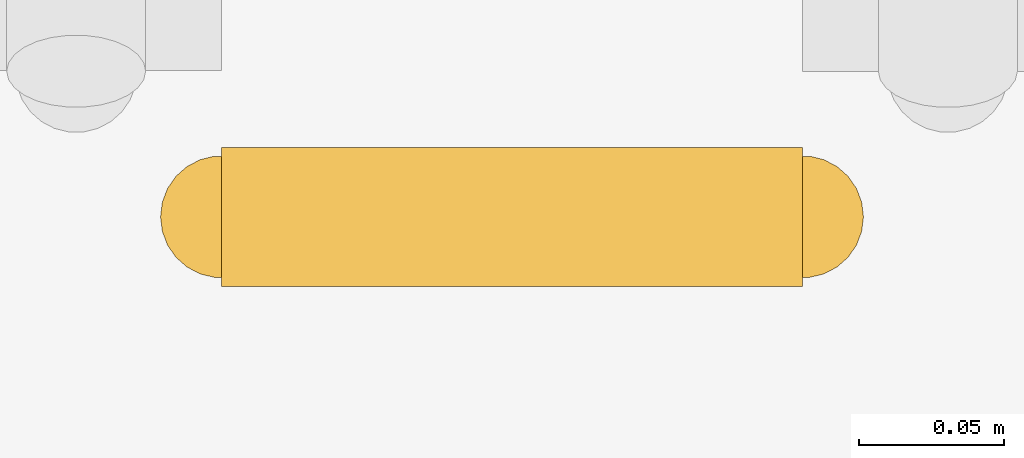
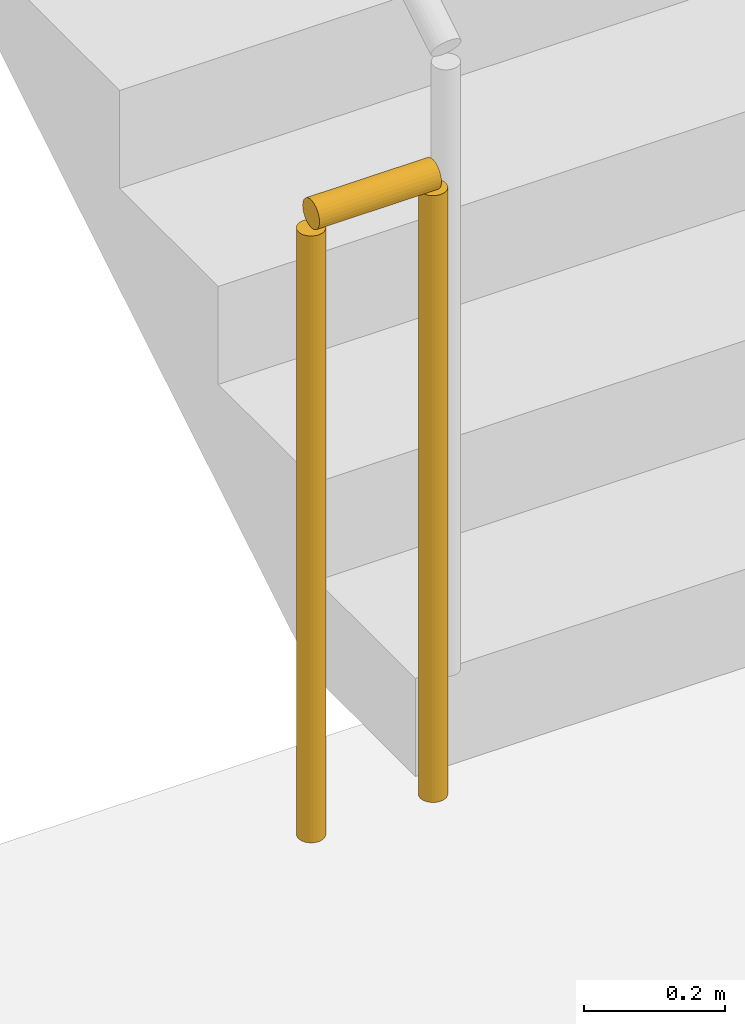
# One storey, part 21 of 23: 1 railing.
"""IFC4 building model written with IfcOpenShell, lengths in metres."""

from ifc_helpers import new_model, si_unit, direction, frame, origin, origin_2d, place, context, subcontext, project, spatial, circle, extrude, material, type_object, element, save


model = new_model("IFC4")

# Units and contexts
model_context = context("Model", 3, precision=1e-05, world=origin(), true_north=direction((0.0, 1.0)))
body_context = subcontext(model_context, "Body", "Model", "MODEL_VIEW")
ifc_project = project(units=[si_unit("LENGTHUNIT", "METRE"), si_unit("AREAUNIT", "SQUARE_METRE"), si_unit("VOLUMEUNIT", "CUBIC_METRE"), si_unit("PLANEANGLEUNIT", "RADIAN"), si_unit("MASSUNIT", "GRAM", prefix="KILO")], contexts=[model_context])

# Site, building, storey
site_placement = place(None, origin())
site = spatial("IfcSite", under=ifc_project, at=site_placement, CompositionType="ELEMENT")
building_placement = place(site_placement, origin())
building = spatial("IfcBuilding", under=site, at=building_placement, Name="Caelmar Bay Residences", CompositionType="ELEMENT")
storey_placement = place(building_placement, frame((0.0, 0.0, 221.39990234375)))
storey = spatial("IfcBuildingStorey", under=building, at=storey_placement, Name="L62", CompositionType="ELEMENT", Elevation=221.39990234375)

# Railing
ifc_material = material(Name="Painted galvanized steel stair guard 1100 mm", Category="steel")
railing_type = type_object("IfcRailingType", Name="RL-GRD-1100", PredefinedType="GUARDRAIL", material=ifc_material)
railing_placement = place(storey_placement, frame((57.800048828125, 38.64990234375, 0.0)))
element("IfcRailing", 1, at=railing_placement, inside=storey, type_object=railing_type, Name="L62 ST2 stair guard 4", PredefinedType="GUARDRAIL", context=body_context, shape_type="SweptSolid", body=[
    extrude(circle(Radius=0.02392578125, at=origin_2d()), frame((0.0, 0.0, 1.076171875), z_axis=(-1.0, 0.0, 0.0), x_axis=(0.0, -1.0, 0.0)), (0.0, 0.0, 1.0), 0.199951171875),
    extrude(circle(Radius=0.02099609375, at=origin_2d()), origin(), (0.0, 0.0, 1.0), 1.052001953125),
    extrude(circle(Radius=0.02099609375, at=origin_2d()), frame((-0.199951171875, 0.0, 0.0)), (0.0, 0.0, 1.0), 1.052001953125),
])

save(model, "model.ifc")
